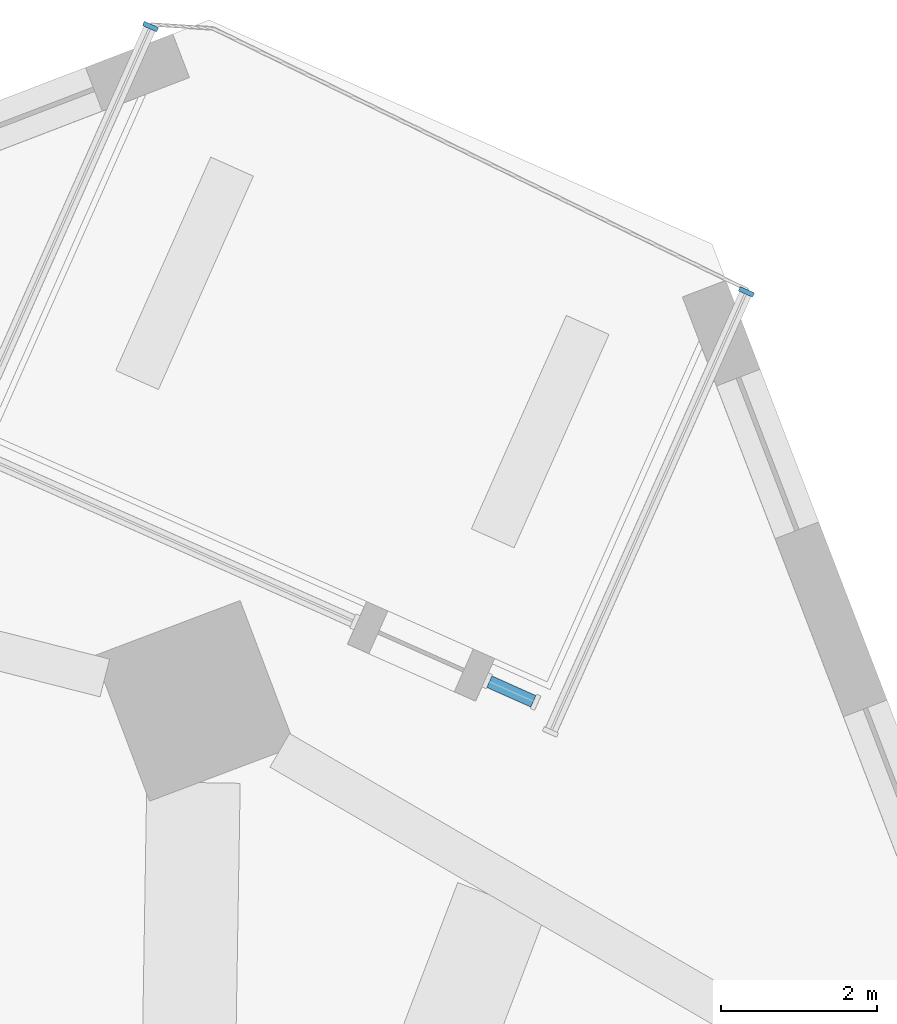
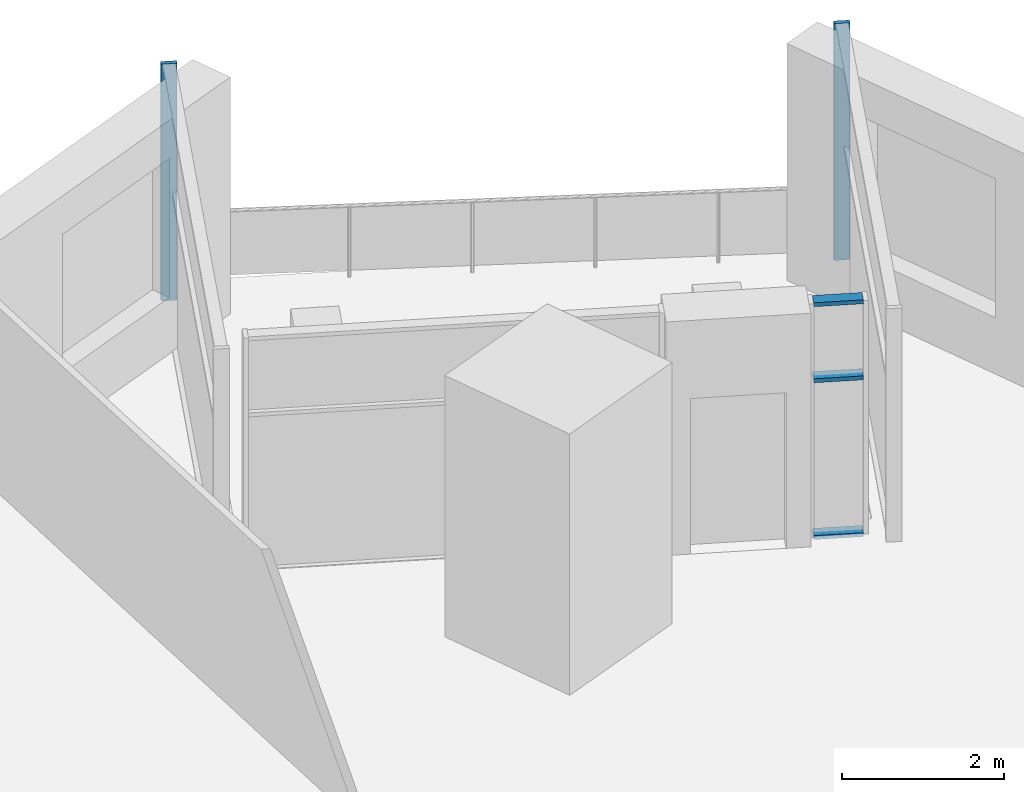
# One storey, part 4 of 14: 5 members, 3 elements without a shape of their own.
"""IFC4 building model written with IfcOpenShell, lengths in metres."""

from ifc_helpers import new_model, si_unit, direction, frame, origin, origin_2d, place, context, subcontext, project, spatial, rectangle, extrude, material, material_profile, profile_set, type_object, element, aggregate, save


model = new_model("IFC4")

# Units and contexts
model_context = context("Model", 3, precision=1e-05, world=origin(), true_north=direction((0.0, 1.0)))
body_context = subcontext(model_context, "Body", "Model", "MODEL_VIEW")
ifc_project = project(units=[si_unit("LENGTHUNIT", "METRE"), si_unit("AREAUNIT", "SQUARE_METRE"), si_unit("VOLUMEUNIT", "CUBIC_METRE"), si_unit("PLANEANGLEUNIT", "RADIAN"), si_unit("MASSUNIT", "GRAM", prefix="KILO")], contexts=[model_context])

# Site, building, storey
site_placement = place(None, origin())
site = spatial("IfcSite", under=ifc_project, at=site_placement, CompositionType="ELEMENT")
building_placement = place(site_placement, origin())
building = spatial("IfcBuilding", under=site, at=building_placement, Name="Dilmun Exchange Tower", CompositionType="ELEMENT")
storey_placement = place(building_placement, frame((0.0, 0.0, 106.10009765625)))
storey = spatial("IfcBuildingStorey", under=building, at=storey_placement, Name="L24", CompositionType="ELEMENT", Elevation=106.10009765625)

# Curtain wall, member
ifc_material_1 = material(Name="Anodised aluminium and clear glass", Category="aluminium")
curtain_wall_type = type_object("IfcCurtainWallType", Name="Garden corner glazing", PredefinedType="NOTDEFINED", material=ifc_material_1)
curtain_wall_1_placement = place(storey_placement, origin())
curtain_wall_1 = element("IfcCurtainWall", 1, at=curtain_wall_1_placement, inside=storey, type_object=curtain_wall_type, Name="Garden corner glazing run GC1.1", PredefinedType="NOTDEFINED")
ifc_material_2 = material(Name="Anodised aluminium", Category="aluminium")
ifc_material_profile_1 = material_profile(ifc_material_2, rectangle(XDim=0.199951171875, YDim=0.06005859375, at=origin_2d()), Name="AL 60x200")
ifc_profile_set_1 = profile_set([ifc_material_profile_1], Name="Anodised aluminium")
member_type_1 = type_object("IfcMemberType", Name="Garden corner glazing mullion 60 x 200", PredefinedType="MULLION", material=ifc_profile_set_1)
member_1_placement = place(storey_placement, frame((20.2060546875, 31.607177734375, 0.0), z_axis=(0.0, 0.0, 1.0), x_axis=(0.913542660018, -0.406742926585, 0.0)))
member_1 = element("IfcMember", 2, at=member_1_placement, type_object=member_type_1, Name="GC1.1 mullion 1", PredefinedType="MULLION", context=body_context, shape_type="SweptSolid", body=[
    extrude(rectangle(XDim=0.199951171875, YDim=0.06005859375, at=origin_2d()), origin(), (0.0, 0.0, 1.0), 3.579833984375),
])
aggregate(curtain_wall_1, [member_1])

curtain_wall_2_placement = place(storey_placement, origin())
curtain_wall_2 = element("IfcCurtainWall", 3, at=curtain_wall_2_placement, inside=storey, type_object=curtain_wall_type, Name="Garden corner glazing run GC3.1", PredefinedType="NOTDEFINED")
member_2_placement = place(storey_placement, frame((12.55224609375, 35.014892578125, 0.0), z_axis=(0.0, 0.0, 1.0), x_axis=(-0.913542660018, 0.406742926585, 0.0)))
member_2 = element("IfcMember", 4, at=member_2_placement, type_object=member_type_1, Name="GC3.1 mullion 2", PredefinedType="MULLION", context=body_context, shape_type="SweptSolid", body=[
    extrude(rectangle(XDim=0.199951171875, YDim=0.06005859375, at=origin_2d()), origin(), (0.0, 0.0, 1.0), 3.579833984375),
])
aggregate(curtain_wall_2, [member_2])

# Curtain wall, members
curtain_wall_3_placement = place(storey_placement, origin())
curtain_wall_3 = element("IfcCurtainWall", 5, at=curtain_wall_3_placement, inside=storey, type_object=curtain_wall_type, Name="Garden corner glazing run GC2.1", PredefinedType="NOTDEFINED")
ifc_material_profile_2 = material_profile(ifc_material_2, rectangle(XDim=0.159912109375, YDim=0.06005859375, at=origin_2d()), Name="AL 60x160")
ifc_profile_set_2 = profile_set([ifc_material_profile_2], Name="Anodised aluminium")
member_type_2 = type_object("IfcMemberType", Name="Garden corner glazing transom 60 x 160", PredefinedType="USERDEFINED", material=ifc_profile_set_2)
member_3_placement = place(storey_placement, frame((17.470703125, 26.3486328125, 0.02978515625), z_axis=(-0.913486097967, 0.406869940916, 0.0), x_axis=(-0.406869940916, -0.913486097967, 0.0)))
member_3 = element("IfcMember", 6, at=member_3_placement, type_object=member_type_2, Name="GC2.1 transom 1.1", ObjectType="TRANSOM", PredefinedType="USERDEFINED", context=body_context, shape_type="SweptSolid", body=[
    extrude(rectangle(XDim=0.159912109375, YDim=0.06005859375, at=origin_2d()), origin(), (0.0, 0.0, 1.0), 0.619140625),
])
member_4_placement = place(storey_placement, frame((17.470703125, 26.3486328125, 2.39990234375), z_axis=(-0.913486097967, 0.406869940916, 0.0), x_axis=(-0.406869940916, -0.913486097967, 0.0)))
member_4 = element("IfcMember", 7, at=member_4_placement, type_object=member_type_2, Name="GC2.1 transom 1.2", ObjectType="TRANSOM", PredefinedType="USERDEFINED", context=body_context, shape_type="SweptSolid", body=[
    extrude(rectangle(XDim=0.159912109375, YDim=0.06005859375, at=origin_2d()), origin(), (0.0, 0.0, 1.0), 0.619140625),
])
member_5_placement = place(storey_placement, frame((17.470703125, 26.3486328125, 3.5498046875), z_axis=(-0.913486097967, 0.406869940916, 0.0), x_axis=(-0.406869940916, -0.913486097967, 0.0)))
member_5 = element("IfcMember", 8, at=member_5_placement, type_object=member_type_2, Name="GC2.1 transom 1.3", ObjectType="TRANSOM", PredefinedType="USERDEFINED", context=body_context, shape_type="SweptSolid", body=[
    extrude(rectangle(XDim=0.159912109375, YDim=0.06005859375, at=origin_2d()), origin(), (0.0, 0.0, 1.0), 0.619140625),
])
aggregate(curtain_wall_3, [member_3, member_4, member_5])

save(model, "model.ifc")
